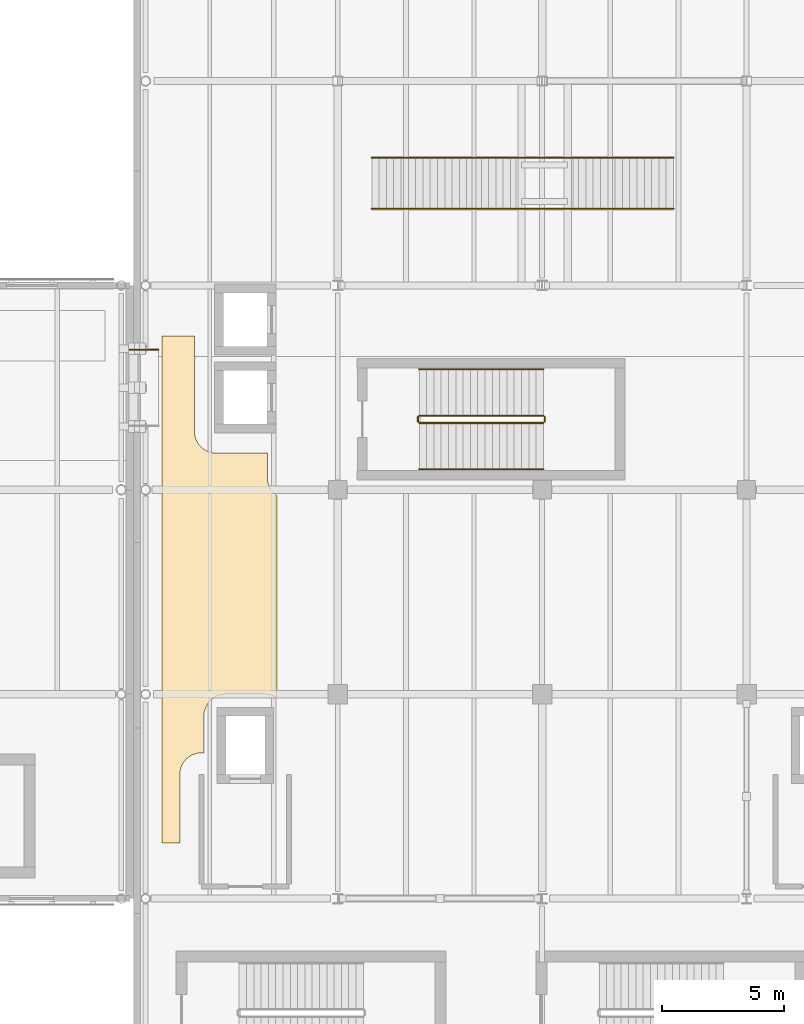
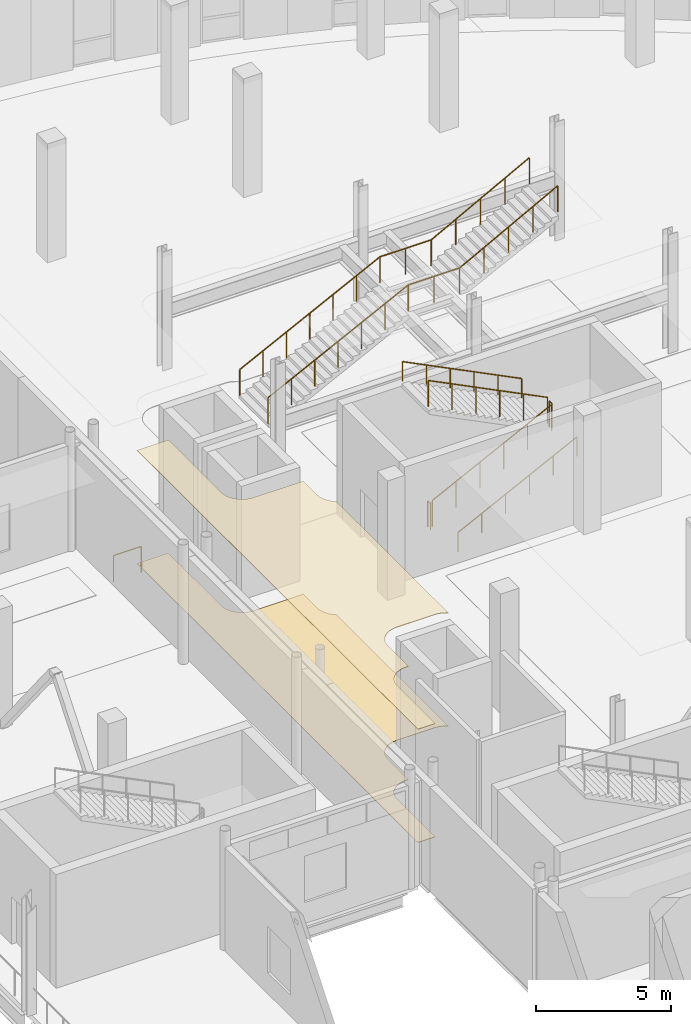
# One storey, part 103 of 110: 9 railings, 2 coverings.
"""IFC4 building model written with IfcOpenShell, lengths in metres."""

from ifc_helpers import new_model, si_unit, direction, frame, origin, origin_2d, place, context, subcontext, project, spatial, polyline, circle, outline, extrude, material, layer, layer_set, type_object, element, save


model = new_model("IFC4")

# Units and contexts
model_context = context("Model", 3, precision=1e-05, world=origin(), true_north=direction((0.0, 1.0)))
body_context = subcontext(model_context, "Body", "Model", "MODEL_VIEW")
ifc_project = project(units=[si_unit("LENGTHUNIT", "METRE"), si_unit("AREAUNIT", "SQUARE_METRE"), si_unit("VOLUMEUNIT", "CUBIC_METRE"), si_unit("PLANEANGLEUNIT", "RADIAN"), si_unit("MASSUNIT", "GRAM", prefix="KILO"), si_unit("THERMODYNAMICTEMPERATUREUNIT", "KELVIN")], contexts=[model_context])

# Site, building, storey
site_placement = place(None, origin())
site = spatial("IfcSite", under=ifc_project, at=site_placement, CompositionType="ELEMENT")
building_placement = place(site_placement, origin())
building = spatial("IfcBuilding", under=site, at=building_placement, Name="Lustrewick Department Store", CompositionType="ELEMENT")
storey_placement = place(building_placement, frame((0.0, 0.0, 6.0)))
storey = spatial("IfcBuildingStorey", under=building, at=storey_placement, Name="L02", CompositionType="ELEMENT", Elevation=6.0)

# Coverings
ifc_material_1 = material(Name="Perforated mineral-fibre acoustic ceiling board", Category="gypsum")
ifc_layer_1 = layer(ifc_material_1, 0.02490234375, Name="Perforated mineral-fibre acoustic ceiling board")
ifc_layer_set_1 = layer_set([ifc_layer_1], Name="Perforated mineral-fibre acoustic ceiling board")
covering_type_1 = type_object("IfcCoveringType", Name="COV-CEIL", PredefinedType="CEILING", material=ifc_layer_set_1)
covering_1_placement = place(storey_placement, frame((0.0, 0.0, 5.1201171875)))
element("IfcCovering", 1, at=covering_1_placement, inside=storey, type_object=covering_type_1, Name="L02 V4 Merchandise Display Alcove 1 Acoustic Ceiling", PredefinedType="CEILING", context=body_context, shape_type="SweptSolid", body=[
    extrude(outline(polyline([(110.3701171875, 61.090087890625), (111.110107421875, 61.090087890625), (111.110107421875, 63.903076171875), (111.1142578125, 63.98779296875), (111.126708984375, 64.071533203125), (111.12744140625, 64.074951171875), (111.131103515625, 64.092529296875), (111.1318359375, 64.095703125), (111.154541015625, 64.178466796875), (111.185302734375, 64.258544921875), (111.1865234375, 64.26123046875), (111.187744140625, 64.263671875), (111.22119140625, 64.33056640625), (111.223388671875, 64.33447265625), (111.260986328125, 64.39599609375), (111.303466796875, 64.4541015625), (111.30712890625, 64.45849609375), (111.37060546875, 64.529296875), (111.44140625, 64.593017578125), (111.446044921875, 64.596435546875), (111.504150390625, 64.63916015625), (111.565673828125, 64.6767578125), (111.569580078125, 64.678955078125), (111.63623046875, 64.712158203125), (111.6416015625, 64.714599609375), (111.721435546875, 64.74560546875), (111.80419921875, 64.768310546875), (111.8076171875, 64.768798828125), (111.824951171875, 64.772705078125), (111.828369140625, 64.773193359375), (111.912353515625, 64.785888671875), (111.9970703125, 64.7900390625), (112.10009765625, 64.7900390625), (112.10009765625, 66.301025390625), (112.10107421875, 66.343017578125), (112.101318359375, 66.34814453125), (112.110595703125, 66.43701171875), (112.111572265625, 66.443115234375), (112.12890625, 66.52587890625), (112.130126953125, 66.53076171875), (112.1416015625, 66.56982421875), (112.142822265625, 66.574462890625), (112.169677734375, 66.6474609375), (112.202880859375, 66.7177734375), (112.205078125, 66.721923828125), (112.223388671875, 66.7548828125), (112.2255859375, 66.758544921875), (112.25732421875, 66.80859375), (112.260498046875, 66.812744140625), (112.307861328125, 66.87548828125), (112.361083984375, 66.93359375), (112.3662109375, 66.93896484375), (112.424560546875, 66.9921875), (112.4873046875, 67.03955078125), (112.491455078125, 67.04248046875), (112.54150390625, 67.074462890625), (112.545166015625, 67.07666015625), (112.578125, 67.094970703125), (112.582275390625, 67.09716796875), (112.652587890625, 67.13037109375), (112.7255859375, 67.156982421875), (112.72998046875, 67.158447265625), (112.769287109375, 67.169921875), (112.774169921875, 67.171142578125), (112.85693359375, 67.1884765625), (112.86279296875, 67.189453125), (112.951904296875, 67.19873046875), (112.95703125, 67.198974609375), (112.9990234375, 67.199951171875), (114.60107421875, 67.199951171875), (114.642822265625, 67.198974609375), (114.648193359375, 67.19873046875), (114.737060546875, 67.189453125), (114.7431640625, 67.1884765625), (114.825927734375, 67.171142578125), (114.830810546875, 67.169921875), (114.869873046875, 67.158447265625), (114.87451171875, 67.156982421875), (114.947509765625, 67.13037109375), (115.017822265625, 67.09716796875), (115.02197265625, 67.094970703125), (115.0546875, 67.07666015625), (115.05859375, 67.074462890625), (115.1083984375, 67.04248046875), (115.110107421875, 67.04150390625), (115.110107421875, 75.357177734375), (115.10400390625, 75.36083984375), (115.0458984375, 75.403564453125), (115.04150390625, 75.406982421875), (114.970703125, 75.470703125), (114.906982421875, 75.54150390625), (114.903564453125, 75.5458984375), (114.86083984375, 75.60400390625), (114.8232421875, 75.66552734375), (114.821044921875, 75.66943359375), (114.787841796875, 75.736328125), (114.785400390625, 75.741455078125), (114.75439453125, 75.821533203125), (114.731689453125, 75.904296875), (114.731201171875, 75.907470703125), (114.727294921875, 75.925048828125), (114.726806640625, 75.928466796875), (114.714111328125, 76.01220703125), (114.7099609375, 76.096923828125), (114.7099609375, 77.110107421875), (112.596923828125, 77.110107421875), (112.51220703125, 77.1142578125), (112.428466796875, 77.126708984375), (112.425048828125, 77.12744140625), (112.407470703125, 77.131103515625), (112.404296875, 77.1318359375), (112.321533203125, 77.154541015625), (112.241455078125, 77.185302734375), (112.23876953125, 77.1865234375), (112.236328125, 77.187744140625), (112.16943359375, 77.22119140625), (112.16552734375, 77.223388671875), (112.10400390625, 77.260986328125), (112.0458984375, 77.303466796875), (112.04150390625, 77.30712890625), (111.970703125, 77.37060546875), (111.906982421875, 77.44140625), (111.903564453125, 77.446044921875), (111.86083984375, 77.504150390625), (111.8232421875, 77.565673828125), (111.821044921875, 77.569580078125), (111.787841796875, 77.63623046875), (111.785400390625, 77.6416015625), (111.75439453125, 77.721435546875), (111.731689453125, 77.80419921875), (111.731201171875, 77.8076171875), (111.727294921875, 77.824951171875), (111.726806640625, 77.828369140625), (111.714111328125, 77.912353515625), (111.7099609375, 77.9970703125), (111.7099609375, 80.802978515625), (111.714111328125, 80.8876953125), (111.726806640625, 80.9716796875), (111.727294921875, 80.97509765625), (111.731201171875, 80.992431640625), (111.731689453125, 80.99560546875), (111.73291015625, 81.0), (111.731689453125, 81.00439453125), (111.731201171875, 81.007568359375), (111.727294921875, 81.02490234375), (111.726806640625, 81.0283203125), (111.714111328125, 81.1123046875), (111.7099609375, 81.197021484375), (111.7099609375, 81.915771484375), (110.3701171875, 81.915771484375), (110.3701171875, 61.090087890625)])), origin(), (0.0, 0.0, 1.0), 0.02490234375),
])
ifc_material_2 = material(Name="Polished terrazzo and porcelain floor finish", Category="masonry")
ifc_layer_2 = layer(ifc_material_2, 0.02001953125, Name="Polished terrazzo and porcelain floor finish")
ifc_layer_set_2 = layer_set([ifc_layer_2], Name="Polished terrazzo and porcelain floor finish")
covering_type_2 = type_object("IfcCoveringType", Name="COV-FLR", PredefinedType="FLOORING", material=ifc_layer_set_2)
covering_2_placement = place(storey_placement, origin())
element("IfcCovering", 2, at=covering_2_placement, inside=storey, type_object=covering_type_2, Name="L02 V4 Merchandise Display Alcove 1 Terrazzo Flooring", PredefinedType="FLOORING", context=body_context, shape_type="SweptSolid", body=[
    extrude(outline(polyline([(110.3701171875, 61.090087890625), (111.110107421875, 61.090087890625), (111.110107421875, 63.903076171875), (111.1142578125, 63.98779296875), (111.126708984375, 64.071533203125), (111.12744140625, 64.074951171875), (111.131103515625, 64.092529296875), (111.1318359375, 64.095703125), (111.154541015625, 64.178466796875), (111.185302734375, 64.258544921875), (111.1865234375, 64.26123046875), (111.187744140625, 64.263671875), (111.22119140625, 64.33056640625), (111.223388671875, 64.33447265625), (111.260986328125, 64.39599609375), (111.303466796875, 64.4541015625), (111.30712890625, 64.45849609375), (111.37060546875, 64.529296875), (111.44140625, 64.593017578125), (111.446044921875, 64.596435546875), (111.504150390625, 64.63916015625), (111.565673828125, 64.6767578125), (111.569580078125, 64.678955078125), (111.63623046875, 64.712158203125), (111.6416015625, 64.714599609375), (111.721435546875, 64.74560546875), (111.80419921875, 64.768310546875), (111.8076171875, 64.768798828125), (111.824951171875, 64.772705078125), (111.828369140625, 64.773193359375), (111.912353515625, 64.785888671875), (111.9970703125, 64.7900390625), (112.10009765625, 64.7900390625), (112.10009765625, 66.301025390625), (112.10107421875, 66.343017578125), (112.101318359375, 66.34814453125), (112.110595703125, 66.43701171875), (112.111572265625, 66.443115234375), (112.12890625, 66.52587890625), (112.130126953125, 66.53076171875), (112.1416015625, 66.56982421875), (112.142822265625, 66.574462890625), (112.169677734375, 66.6474609375), (112.202880859375, 66.7177734375), (112.205078125, 66.721923828125), (112.223388671875, 66.7548828125), (112.2255859375, 66.758544921875), (112.25732421875, 66.80859375), (112.260498046875, 66.812744140625), (112.307861328125, 66.87548828125), (112.361083984375, 66.93359375), (112.3662109375, 66.93896484375), (112.424560546875, 66.9921875), (112.4873046875, 67.03955078125), (112.491455078125, 67.04248046875), (112.54150390625, 67.074462890625), (112.545166015625, 67.07666015625), (112.578125, 67.094970703125), (112.582275390625, 67.09716796875), (112.652587890625, 67.13037109375), (112.7255859375, 67.156982421875), (112.72998046875, 67.158447265625), (112.769287109375, 67.169921875), (112.774169921875, 67.171142578125), (112.85693359375, 67.1884765625), (112.86279296875, 67.189453125), (112.951904296875, 67.19873046875), (112.95703125, 67.198974609375), (112.9990234375, 67.199951171875), (114.60107421875, 67.199951171875), (114.642822265625, 67.198974609375), (114.648193359375, 67.19873046875), (114.737060546875, 67.189453125), (114.7431640625, 67.1884765625), (114.825927734375, 67.171142578125), (114.830810546875, 67.169921875), (114.869873046875, 67.158447265625), (114.87451171875, 67.156982421875), (114.947509765625, 67.13037109375), (115.017822265625, 67.09716796875), (115.02197265625, 67.094970703125), (115.0546875, 67.07666015625), (115.05859375, 67.074462890625), (115.1083984375, 67.04248046875), (115.110107421875, 67.04150390625), (115.110107421875, 75.357177734375), (115.10400390625, 75.36083984375), (115.0458984375, 75.403564453125), (115.04150390625, 75.406982421875), (114.970703125, 75.470703125), (114.906982421875, 75.54150390625), (114.903564453125, 75.5458984375), (114.86083984375, 75.60400390625), (114.8232421875, 75.66552734375), (114.821044921875, 75.66943359375), (114.787841796875, 75.736328125), (114.785400390625, 75.741455078125), (114.75439453125, 75.821533203125), (114.731689453125, 75.904296875), (114.731201171875, 75.907470703125), (114.727294921875, 75.925048828125), (114.726806640625, 75.928466796875), (114.714111328125, 76.01220703125), (114.7099609375, 76.096923828125), (114.7099609375, 77.110107421875), (112.596923828125, 77.110107421875), (112.51220703125, 77.1142578125), (112.428466796875, 77.126708984375), (112.425048828125, 77.12744140625), (112.407470703125, 77.131103515625), (112.404296875, 77.1318359375), (112.321533203125, 77.154541015625), (112.241455078125, 77.185302734375), (112.23876953125, 77.1865234375), (112.236328125, 77.187744140625), (112.16943359375, 77.22119140625), (112.16552734375, 77.223388671875), (112.10400390625, 77.260986328125), (112.0458984375, 77.303466796875), (112.04150390625, 77.30712890625), (111.970703125, 77.37060546875), (111.906982421875, 77.44140625), (111.903564453125, 77.446044921875), (111.86083984375, 77.504150390625), (111.8232421875, 77.565673828125), (111.821044921875, 77.569580078125), (111.787841796875, 77.63623046875), (111.785400390625, 77.6416015625), (111.75439453125, 77.721435546875), (111.731689453125, 77.80419921875), (111.731201171875, 77.8076171875), (111.727294921875, 77.824951171875), (111.726806640625, 77.828369140625), (111.714111328125, 77.912353515625), (111.7099609375, 77.9970703125), (111.7099609375, 80.802978515625), (111.714111328125, 80.8876953125), (111.726806640625, 80.9716796875), (111.727294921875, 80.97509765625), (111.731201171875, 80.992431640625), (111.731689453125, 80.99560546875), (111.73291015625, 81.0), (111.731689453125, 81.00439453125), (111.731201171875, 81.007568359375), (111.727294921875, 81.02490234375), (111.726806640625, 81.0283203125), (111.714111328125, 81.1123046875), (111.7099609375, 81.197021484375), (111.7099609375, 81.915771484375), (110.3701171875, 81.915771484375), (110.3701171875, 61.090087890625)])), origin(), (0.0, 0.0, 1.0), 0.02001953125),
])

# Railings
ifc_material_3 = material(Name="Laminated safety glass and bronze atrium balustrade", Category="glass")
railing_type_1 = type_object("IfcRailingType", Name="RL-BAL", PredefinedType="BALUSTRADE", material=ifc_material_3)
railing_1_placement = place(storey_placement, frame((119.0, 87.14990234375, 0.14990234375)))
element("IfcRailing", 3, at=railing_1_placement, inside=storey, type_object=railing_type_1, Name="L02 Feature Stair AST02 Balustrade G1", PredefinedType="BALUSTRADE", context=body_context, shape_type="SweptSolid", body=[
    extrude(circle(Radius=0.02392578125, at=origin_2d()), frame((0.0, 0.0, 1.17578125), z_axis=(0.894427191, 0.0, 0.4472135955), x_axis=(0.0, 1.0, 0.0)), (0.0, 0.0, 1.0), 6.708251953125),
    extrude(circle(Radius=0.02392578125, at=origin_2d()), frame((6.0, 0.0, 4.17578125), z_axis=(1.0, 0.0, 0.0), x_axis=(0.0, 1.0, 0.0)), (0.0, 0.0, 1.0), 2.199951171875),
    extrude(circle(Radius=0.02392578125, at=origin_2d()), frame((8.199951171875, 0.0, 4.17578125), z_axis=(0.881477684796, 0.0, 0.472225678258), x_axis=(0.0, 1.0, 0.0)), (0.0, 0.0, 1.0), 4.7646484375),
    extrude(circle(Radius=0.02099609375, at=origin_2d()), origin(), (0.0, 0.0, 1.0), 1.15185546875),
    extrude(circle(Radius=0.02099609375, at=origin_2d()), frame((1.0, 0.0, 0.5)), (0.0, 0.0, 1.0), 1.15185546875),
    extrude(circle(Radius=0.02099609375, at=origin_2d()), frame((2.0, 0.0, 1.0)), (0.0, 0.0, 1.0), 1.15185546875),
    extrude(circle(Radius=0.02099609375, at=origin_2d()), frame((3.0, 0.0, 1.5)), (0.0, 0.0, 1.0), 1.15185546875),
    extrude(circle(Radius=0.02099609375, at=origin_2d()), frame((4.0, 0.0, 2.0)), (0.0, 0.0, 1.0), 1.15185546875),
    extrude(circle(Radius=0.02099609375, at=origin_2d()), frame((5.0, 0.0, 2.5)), (0.0, 0.0, 1.0), 1.15185546875),
    extrude(circle(Radius=0.02099609375, at=origin_2d()), frame((6.0, 0.0, 3.0)), (0.0, 0.0, 1.0), 1.15185546875),
    extrude(circle(Radius=0.02099609375, at=origin_2d()), frame((7.10009765625, 0.0, 3.0)), (0.0, 0.0, 1.0), 1.15185546875),
    extrude(circle(Radius=0.02099609375, at=origin_2d()), frame((8.199951171875, 0.0, 3.0)), (0.0, 0.0, 1.0), 1.15185546875),
    extrude(circle(Radius=0.02099609375, at=origin_2d()), frame((9.25, 0.0, 3.5625)), (0.0, 0.0, 1.0), 1.15185546875),
    extrude(circle(Radius=0.02099609375, at=origin_2d()), frame((10.2998046875, 0.0, 4.125)), (0.0, 0.0, 1.0), 1.15185546875),
    extrude(circle(Radius=0.02099609375, at=origin_2d()), frame((11.349853515625, 0.0, 4.6875)), (0.0, 0.0, 1.0), 1.15185546875),
    extrude(circle(Radius=0.02099609375, at=origin_2d()), frame((12.39990234375, 0.0, 5.25)), (0.0, 0.0, 1.0), 1.15185546875),
])
railing_2_placement = place(storey_placement, frame((119.0, 89.25, 0.14990234375)))
element("IfcRailing", 4, at=railing_2_placement, inside=storey, type_object=railing_type_1, Name="L02 Feature Stair AST02 Balustrade G2", PredefinedType="BALUSTRADE", context=body_context, shape_type="SweptSolid", body=[
    extrude(circle(Radius=0.02392578125, at=origin_2d()), frame((0.0, 0.0, 1.17578125), z_axis=(0.894427191, 0.0, 0.4472135955), x_axis=(0.0, 1.0, 0.0)), (0.0, 0.0, 1.0), 6.708251953125),
    extrude(circle(Radius=0.02392578125, at=origin_2d()), frame((6.0, 0.0, 4.17578125), z_axis=(1.0, 0.0, 0.0), x_axis=(0.0, 1.0, 0.0)), (0.0, 0.0, 1.0), 2.199951171875),
    extrude(circle(Radius=0.02392578125, at=origin_2d()), frame((8.199951171875, 0.0, 4.17578125), z_axis=(0.881477684796, 0.0, 0.472225678258), x_axis=(0.0, 1.0, 0.0)), (0.0, 0.0, 1.0), 4.7646484375),
    extrude(circle(Radius=0.02099609375, at=origin_2d()), origin(), (0.0, 0.0, 1.0), 1.15185546875),
    extrude(circle(Radius=0.02099609375, at=origin_2d()), frame((1.0, 0.0, 0.5)), (0.0, 0.0, 1.0), 1.15185546875),
    extrude(circle(Radius=0.02099609375, at=origin_2d()), frame((2.0, 0.0, 1.0)), (0.0, 0.0, 1.0), 1.15185546875),
    extrude(circle(Radius=0.02099609375, at=origin_2d()), frame((3.0, 0.0, 1.5)), (0.0, 0.0, 1.0), 1.15185546875),
    extrude(circle(Radius=0.02099609375, at=origin_2d()), frame((4.0, 0.0, 2.0)), (0.0, 0.0, 1.0), 1.15185546875),
    extrude(circle(Radius=0.02099609375, at=origin_2d()), frame((5.0, 0.0, 2.5)), (0.0, 0.0, 1.0), 1.15185546875),
    extrude(circle(Radius=0.02099609375, at=origin_2d()), frame((6.0, 0.0, 3.0)), (0.0, 0.0, 1.0), 1.15185546875),
    extrude(circle(Radius=0.02099609375, at=origin_2d()), frame((7.10009765625, 0.0, 3.0)), (0.0, 0.0, 1.0), 1.15185546875),
    extrude(circle(Radius=0.02099609375, at=origin_2d()), frame((8.199951171875, 0.0, 3.0)), (0.0, 0.0, 1.0), 1.15185546875),
    extrude(circle(Radius=0.02099609375, at=origin_2d()), frame((9.25, 0.0, 3.5625)), (0.0, 0.0, 1.0), 1.15185546875),
    extrude(circle(Radius=0.02099609375, at=origin_2d()), frame((10.2998046875, 0.0, 4.125)), (0.0, 0.0, 1.0), 1.15185546875),
    extrude(circle(Radius=0.02099609375, at=origin_2d()), frame((11.349853515625, 0.0, 4.6875)), (0.0, 0.0, 1.0), 1.15185546875),
    extrude(circle(Radius=0.02099609375, at=origin_2d()), frame((12.39990234375, 0.0, 5.25)), (0.0, 0.0, 1.0), 1.15185546875),
])
railing_3_placement = place(storey_placement, frame((109.0400390625, 81.360107421875, 0.0)))
element("IfcRailing", 5, at=railing_3_placement, inside=storey, type_object=railing_type_1, Name="L02 Skybridge SB24 North Guard 0022", PredefinedType="BALUSTRADE", context=body_context, shape_type="SweptSolid", body=[
    extrude(circle(Radius=0.02392578125, at=origin_2d()), frame((0.0, 0.0, 1.17578125), z_axis=(1.0, 0.0, 0.0), x_axis=(0.0, 1.0, 0.0)), (0.0, 0.0, 1.0), 1.18994140625),
    extrude(circle(Radius=0.02099609375, at=origin_2d()), origin(), (0.0, 0.0, 1.0), 1.15185546875),
    extrude(circle(Radius=0.02099609375, at=origin_2d()), frame((1.18994140625, 0.0, 0.0)), (0.0, 0.0, 1.0), 1.15185546875),
])
ifc_material_4 = material(Name="Painted tubular steel stairwell guardrail", Category="steel")
railing_type_2 = type_object("IfcRailingType", Name="RL-STG", PredefinedType="GUARDRAIL", material=ifc_material_4)
railing_4_placement = place(storey_placement, frame((120.949951171875, 78.35009765625, 0.14990234375)))
element("IfcRailing", 6, at=railing_4_placement, inside=storey, type_object=railing_type_2, Name="L02 ST10 Stair Guard 1", PredefinedType="GUARDRAIL", context=body_context, shape_type="SweptSolid", body=[
    extrude(circle(Radius=0.02392578125, at=origin_2d()), frame((0.0, 0.0, 1.17578125), z_axis=(0.894427191, 0.0, 0.4472135955), x_axis=(0.0, 1.0, 0.0)), (0.0, 0.0, 1.0), 5.7021484375),
    extrude(circle(Radius=0.02099609375, at=origin_2d()), origin(), (0.0, 0.0, 1.0), 1.15185546875),
    extrude(circle(Radius=0.02099609375, at=origin_2d()), frame((1.02001953125, 0.0, 0.510009765625)), (0.0, 0.0, 1.0), 1.15185546875),
    extrude(circle(Radius=0.02099609375, at=origin_2d()), frame((2.0400390625, 0.0, 1.02001953125)), (0.0, 0.0, 1.0), 1.15185546875),
    extrude(circle(Radius=0.02099609375, at=origin_2d()), frame((3.06005859375, 0.0, 1.530029296875)), (0.0, 0.0, 1.0), 1.15185546875),
    extrude(circle(Radius=0.02099609375, at=origin_2d()), frame((4.080078125, 0.0, 2.0400390625)), (0.0, 0.0, 1.0), 1.15185546875),
    extrude(circle(Radius=0.02099609375, at=origin_2d()), frame((5.10009765625, 0.0, 2.550048828125)), (0.0, 0.0, 1.0), 1.15185546875),
])
railing_5_placement = place(storey_placement, frame((126.10009765625, 78.39990234375, 2.699951171875)))
element("IfcRailing", 7, at=railing_5_placement, inside=storey, type_object=railing_type_2, Name="L02 ST10 Stair Guard 2", PredefinedType="GUARDRAIL", context=body_context, shape_type="SweptSolid", body=[
    extrude(circle(Radius=0.02392578125, at=origin_2d()), frame((0.0, 0.0, 1.17578125), z_axis=(0.0, 1.0, 0.0), x_axis=(-1.0, 0.0, 0.0)), (0.0, 0.0, 1.0), 0.2001953125),
    extrude(circle(Radius=0.02099609375, at=origin_2d()), origin(), (0.0, 0.0, 1.0), 1.15185546875),
    extrude(circle(Radius=0.02099609375, at=origin_2d()), frame((0.0, 0.2001953125, 0.0)), (0.0, 0.0, 1.0), 1.15185546875),
])
railing_6_placement = place(storey_placement, frame((126.050048828125, 78.64990234375, 2.85009765625)))
element("IfcRailing", 8, at=railing_6_placement, inside=storey, type_object=railing_type_2, Name="L02 ST10 Stair Guard 3", PredefinedType="GUARDRAIL", context=body_context, shape_type="SweptSolid", body=[
    extrude(circle(Radius=0.02392578125, at=origin_2d()), frame((0.0, 0.0, 1.17578125), z_axis=(-0.89444431709, 0.0, 0.44717934168), x_axis=(0.0, -1.0, 0.0)), (0.0, 0.0, 1.0), 5.701904296875),
    extrude(circle(Radius=0.02099609375, at=origin_2d()), origin(), (0.0, 0.0, 1.0), 1.15185546875),
    extrude(circle(Radius=0.02099609375, at=origin_2d()), frame((-1.02001953125, 0.0, 0.510009765625)), (0.0, 0.0, 1.0), 1.15185546875),
    extrude(circle(Radius=0.02099609375, at=origin_2d()), frame((-2.0400390625, 0.0, 1.02001953125)), (0.0, 0.0, 1.0), 1.15185546875),
    extrude(circle(Radius=0.02099609375, at=origin_2d()), frame((-3.06005859375, 0.0, 1.52978515625)), (0.0, 0.0, 1.0), 1.15185546875),
    extrude(circle(Radius=0.02099609375, at=origin_2d()), frame((-4.080078125, 0.0, 2.039794921875)), (0.0, 0.0, 1.0), 1.15185546875),
    extrude(circle(Radius=0.02099609375, at=origin_2d()), frame((-5.10009765625, 0.0, 2.5498046875)), (0.0, 0.0, 1.0), 1.15185546875),
])
railing_7_placement = place(storey_placement, frame((120.89990234375, 78.39990234375, 0.0)))
element("IfcRailing", 9, at=railing_7_placement, inside=storey, type_object=railing_type_2, Name="L02 ST10 Stair Guard 4", PredefinedType="GUARDRAIL", context=body_context, shape_type="SweptSolid", body=[
    extrude(circle(Radius=0.02392578125, at=origin_2d()), frame((0.0, 0.0, 1.17578125), z_axis=(0.0, 1.0, 0.0), x_axis=(-1.0, 0.0, 0.0)), (0.0, 0.0, 1.0), 0.2001953125),
    extrude(circle(Radius=0.02099609375, at=origin_2d()), origin(), (0.0, 0.0, 1.0), 1.15185546875),
    extrude(circle(Radius=0.02099609375, at=origin_2d()), frame((0.0, 0.2001953125, 0.0)), (0.0, 0.0, 1.0), 1.15185546875),
])
ifc_material_5 = material(Name="Brushed stainless steel wall handrail", Category="steel")
railing_type_3 = type_object("IfcRailingType", Name="RL-STH", PredefinedType="HANDRAIL", material=ifc_material_5)
railing_8_placement = place(storey_placement, frame((120.949951171875, 76.449951171875, 0.14990234375)))
element("IfcRailing", 10, at=railing_8_placement, inside=storey, type_object=railing_type_3, Name="L02 ST10 Stair Handrail 1", PredefinedType="HANDRAIL", context=body_context, shape_type="SweptSolid", body=[
    extrude(circle(Radius=0.02392578125, at=origin_2d()), frame((0.0, 0.0, 0.8759765625), z_axis=(0.894427191, 0.0, 0.4472135955), x_axis=(0.0, 1.0, 0.0)), (0.0, 0.0, 1.0), 5.7021484375),
    extrude(circle(Radius=0.02099609375, at=origin_2d()), origin(), (0.0, 0.0, 1.0), 0.851806640625),
    extrude(circle(Radius=0.02099609375, at=origin_2d()), frame((1.02001953125, 0.0, 0.510009765625)), (0.0, 0.0, 1.0), 0.851806640625),
    extrude(circle(Radius=0.02099609375, at=origin_2d()), frame((2.0400390625, 0.0, 1.02001953125)), (0.0, 0.0, 1.0), 0.851806640625),
    extrude(circle(Radius=0.02099609375, at=origin_2d()), frame((3.06005859375, 0.0, 1.530029296875)), (0.0, 0.0, 1.0), 0.851806640625),
    extrude(circle(Radius=0.02099609375, at=origin_2d()), frame((4.080078125, 0.0, 2.0400390625)), (0.0, 0.0, 1.0), 0.851806640625),
    extrude(circle(Radius=0.02099609375, at=origin_2d()), frame((5.10009765625, 0.0, 2.550048828125)), (0.0, 0.0, 1.0), 0.851806640625),
])
railing_9_placement = place(storey_placement, frame((126.050048828125, 80.550048828125, 2.85009765625)))
element("IfcRailing", 11, at=railing_9_placement, inside=storey, type_object=railing_type_3, Name="L02 ST10 Stair Handrail 2", PredefinedType="HANDRAIL", context=body_context, shape_type="SweptSolid", body=[
    extrude(circle(Radius=0.02392578125, at=origin_2d()), frame((0.0, 0.0, 0.8759765625), z_axis=(-0.89444431709, 0.0, 0.44717934168), x_axis=(0.0, -1.0, 0.0)), (0.0, 0.0, 1.0), 5.701904296875),
    extrude(circle(Radius=0.02099609375, at=origin_2d()), origin(), (0.0, 0.0, 1.0), 0.851806640625),
    extrude(circle(Radius=0.02099609375, at=origin_2d()), frame((-1.02001953125, 0.0, 0.510009765625)), (0.0, 0.0, 1.0), 0.851806640625),
    extrude(circle(Radius=0.02099609375, at=origin_2d()), frame((-2.0400390625, 0.0, 1.02001953125)), (0.0, 0.0, 1.0), 0.851806640625),
    extrude(circle(Radius=0.02099609375, at=origin_2d()), frame((-3.06005859375, 0.0, 1.52978515625)), (0.0, 0.0, 1.0), 0.851806640625),
    extrude(circle(Radius=0.02099609375, at=origin_2d()), frame((-4.080078125, 0.0, 2.039794921875)), (0.0, 0.0, 1.0), 0.851806640625),
    extrude(circle(Radius=0.02099609375, at=origin_2d()), frame((-5.10009765625, 0.0, 2.5498046875)), (0.0, 0.0, 1.0), 0.851806640625),
])

save(model, "model.ifc")
